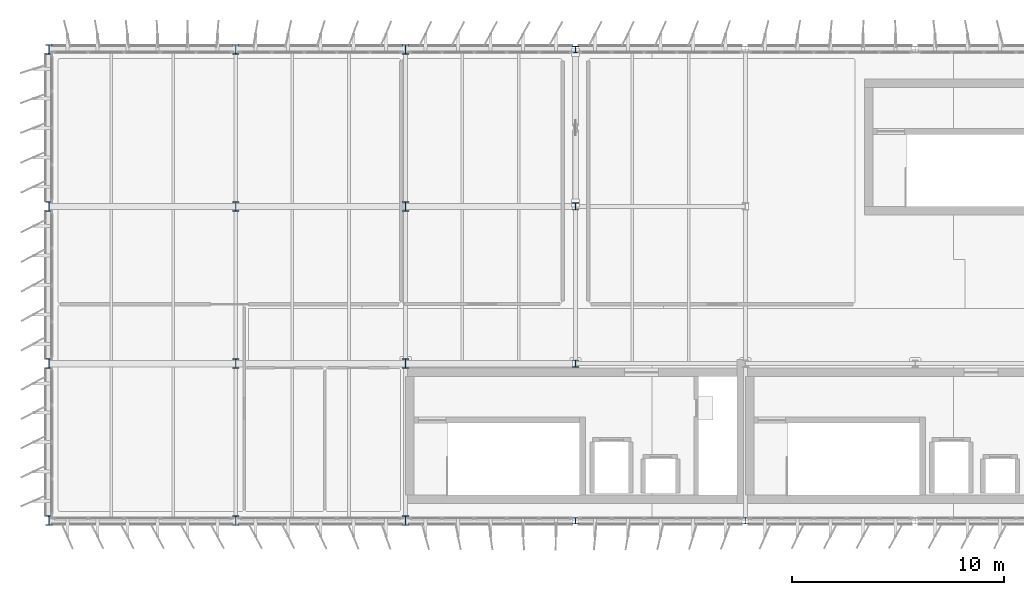
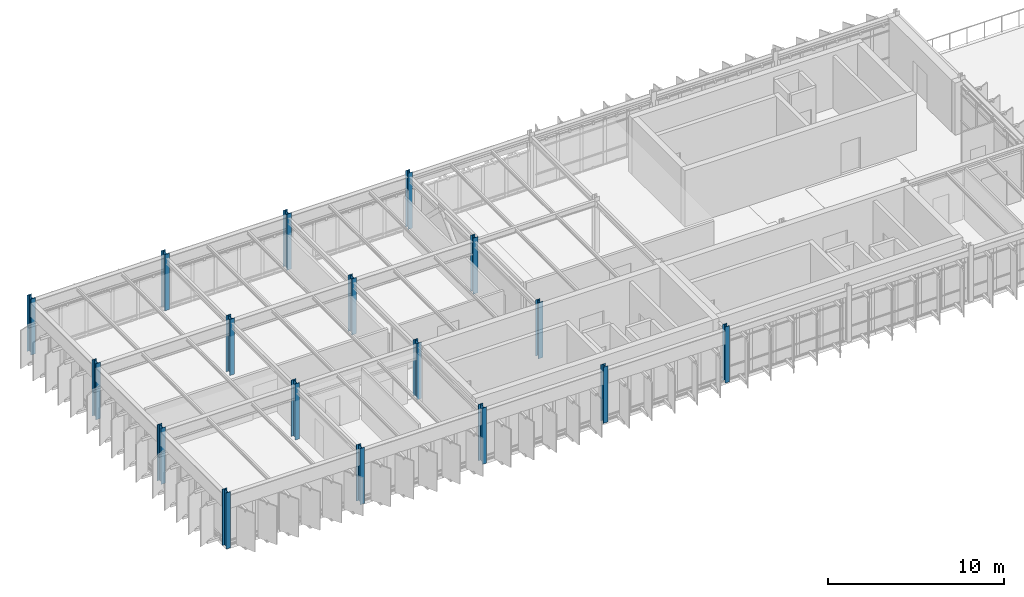
# One storey, part 1 of 20: 17 columns.
"""IFC4 building model written with IfcOpenShell, lengths in metres."""

from ifc_helpers import new_model, si_unit, direction, frame, origin, origin_2d, place, context, subcontext, project, spatial, i_section, extrude, material, material_profile, profile_set, type_object, element, save


model = new_model("IFC4")

# Units and contexts
model_context = context("Model", 3, precision=1e-05, world=origin(), true_north=direction((0.0, 1.0)))
body_context = subcontext(model_context, "Body", "Model", "MODEL_VIEW")
ifc_project = project(units=[si_unit("LENGTHUNIT", "METRE"), si_unit("AREAUNIT", "SQUARE_METRE"), si_unit("VOLUMEUNIT", "CUBIC_METRE"), si_unit("PLANEANGLEUNIT", "RADIAN"), si_unit("MASSUNIT", "GRAM", prefix="KILO")], contexts=[model_context])

# Site, building, storey
site_placement = place(None, origin())
site = spatial("IfcSite", under=ifc_project, at=site_placement, CompositionType="ELEMENT")
building_placement = place(site_placement, origin())
building = spatial("IfcBuilding", under=site, at=building_placement, Name="Valkorina Park Police Headquarters", CompositionType="ELEMENT")
storey_placement = place(building_placement, frame((0.0, 0.0, 31.10009765625)))
storey = spatial("IfcBuildingStorey", under=building, at=storey_placement, Name="L08", CompositionType="ELEMENT", Elevation=31.10009765625)

# Columns
ifc_material = material(Name="Steel S355", Category="steel")
ifc_material_profile_1 = material_profile(ifc_material, i_section(OverallWidth=0.300048828125, OverallDepth=0.330078125, WebThickness=0.009521484375, FlangeThickness=0.0166015625, FilletRadius=0.027099609375, at=origin_2d()), Name="HEA 340")
ifc_profile_set_1 = profile_set([ifc_material_profile_1], Name="Steel S355")
column_type_1 = type_object("IfcColumnType", Name="COL-S355-HEA340-INT", PredefinedType="COLUMN", material=ifc_profile_set_1)
for number, where, z_axis, x_axis, name in (
    (1, (24.800048828125, 44.39990234375, 0.0), (0.0, 0.0, 1.0), (1.0, 0.0, 0.0), "L08 Column 1139"),
    (2, (24.800048828125, 51.800048828125, 0.0), (0.0, 0.0, 1.0), (1.0, 0.0, 0.0), "L08 Column 1140"),
):
    element("IfcColumn", number, at=place(storey_placement, frame(where, z_axis=z_axis, x_axis=x_axis)), inside=storey, type_object=column_type_1, Name=name, PredefinedType="COLUMN", context=body_context, shape_type="SweptSolid", body=[
        extrude(i_section(OverallWidth=0.300048828125, OverallDepth=0.330078125, WebThickness=0.009521484375, FlangeThickness=0.0166015625, FilletRadius=0.027099609375, at=origin_2d()), origin(), (0.0, 0.0, 1.0), 3.89990234375),
    ])
ifc_material_profile_2 = material_profile(ifc_material, i_section(OverallWidth=0.300048828125, OverallDepth=0.300048828125, WebThickness=0.010986328125, FlangeThickness=0.01904296875, FilletRadius=0.027099609375, at=origin_2d()), Name="HEB 300")
ifc_profile_set_2 = profile_set([ifc_material_profile_2], Name="Steel S355")
column_type_2 = type_object("IfcColumnType", Name="COL-S355-HEB300-EXT", PredefinedType="COLUMN", material=ifc_profile_set_2)
for number, where, z_axis, x_axis, name in (
    (3, (24.800048828125, 37.0, 0.0), (0.0, 0.0, 1.0), (1.0, 0.0, 0.0), "L08 Column 1138"),
    (4, (24.800048828125, 59.199951171875, 0.0), (0.0, 0.0, 1.0), (1.0, 0.0, 0.0), "L08 Column 1141"),
    (5, (32.800048828125, 37.0, 0.0), (0.0, 0.0, 1.0), (1.0, 0.0, 0.0), "L08 Column 1142"),
):
    element("IfcColumn", number, at=place(storey_placement, frame(where, z_axis=z_axis, x_axis=x_axis)), inside=storey, type_object=column_type_2, Name=name, PredefinedType="COLUMN", context=body_context, shape_type="SweptSolid", body=[
        extrude(i_section(OverallWidth=0.300048828125, OverallDepth=0.300048828125, WebThickness=0.010986328125, FlangeThickness=0.01904296875, FilletRadius=0.027099609375, at=origin_2d()), origin(), (0.0, 0.0, 1.0), 3.89990234375),
    ])
ifc_material_profile_3 = material_profile(ifc_material, i_section(OverallWidth=0.300048828125, OverallDepth=0.449951171875, WebThickness=0.013916015625, FlangeThickness=0.02587890625, FilletRadius=0.027099609375, at=origin_2d()), Name="HEB 450")
ifc_profile_set_3 = profile_set([ifc_material_profile_3], Name="Steel S355")
column_type_3 = type_object("IfcColumnType", Name="COL-S355-HEB450-EXT", PredefinedType="COLUMN", material=ifc_profile_set_3)
for number, where, z_axis, x_axis, name in (
    (6, (0.0, 37.0, 0.0), (0.0, 0.0, 1.0), (1.0, 0.0, 0.0), "L08 Column 1126"),
    (7, (0.0, 44.39990234375, 0.0), (0.0, 0.0, 1.0), (1.0, 0.0, 0.0), "L08 Column 1127"),
    (8, (0.0, 51.800048828125, 0.0), (0.0, 0.0, 1.0), (1.0, 0.0, 0.0), "L08 Column 1128"),
    (9, (0.0, 59.199951171875, 0.0), (0.0, 0.0, 1.0), (1.0, 0.0, 0.0), "L08 Column 1129"),
    (10, (8.800048828125, 37.0, 0.0), (0.0, 0.0, 1.0), (1.0, 0.0, 0.0), "L08 Column 1130"),
    (11, (8.800048828125, 59.199951171875, 0.0), (0.0, 0.0, 1.0), (1.0, 0.0, 0.0), "L08 Column 1133"),
    (12, (16.800048828125, 37.0, 0.0), (0.0, 0.0, 1.0), (1.0, 0.0, 0.0), "L08 Column 1134"),
    (13, (16.800048828125, 59.199951171875, 0.0), (0.0, 0.0, 1.0), (1.0, 0.0, 0.0), "L08 Column 1137"),
):
    element("IfcColumn", number, at=place(storey_placement, frame(where, z_axis=z_axis, x_axis=x_axis)), inside=storey, type_object=column_type_3, Name=name, PredefinedType="COLUMN", context=body_context, shape_type="SweptSolid", body=[
        extrude(i_section(OverallWidth=0.300048828125, OverallDepth=0.449951171875, WebThickness=0.013916015625, FlangeThickness=0.02587890625, FilletRadius=0.027099609375, at=origin_2d()), origin(), (0.0, 0.0, 1.0), 3.89990234375),
    ])
ifc_material_profile_4 = material_profile(ifc_material, i_section(OverallWidth=0.300048828125, OverallDepth=0.449951171875, WebThickness=0.013916015625, FlangeThickness=0.02587890625, FilletRadius=0.027099609375, at=origin_2d()), Name="HEB 450")
ifc_profile_set_4 = profile_set([ifc_material_profile_4], Name="Steel S355")
column_type_4 = type_object("IfcColumnType", Name="COL-S355-HEB450-INT", PredefinedType="COLUMN", material=ifc_profile_set_4)
for number, where, z_axis, x_axis, name in (
    (14, (8.800048828125, 44.39990234375, 0.0), (0.0, 0.0, 1.0), (1.0, 0.0, 0.0), "L08 Column 1131"),
    (15, (8.800048828125, 51.800048828125, 0.0), (0.0, 0.0, 1.0), (1.0, 0.0, 0.0), "L08 Column 1132"),
    (16, (16.800048828125, 44.39990234375, 0.0), (0.0, 0.0, 1.0), (1.0, 0.0, 0.0), "L08 Column 1135"),
    (17, (16.800048828125, 51.800048828125, 0.0), (0.0, 0.0, 1.0), (1.0, 0.0, 0.0), "L08 Column 1136"),
):
    element("IfcColumn", number, at=place(storey_placement, frame(where, z_axis=z_axis, x_axis=x_axis)), inside=storey, type_object=column_type_4, Name=name, PredefinedType="COLUMN", context=body_context, shape_type="SweptSolid", body=[
        extrude(i_section(OverallWidth=0.300048828125, OverallDepth=0.449951171875, WebThickness=0.013916015625, FlangeThickness=0.02587890625, FilletRadius=0.027099609375, at=origin_2d()), origin(), (0.0, 0.0, 1.0), 3.89990234375),
    ])

save(model, "model.ifc")
